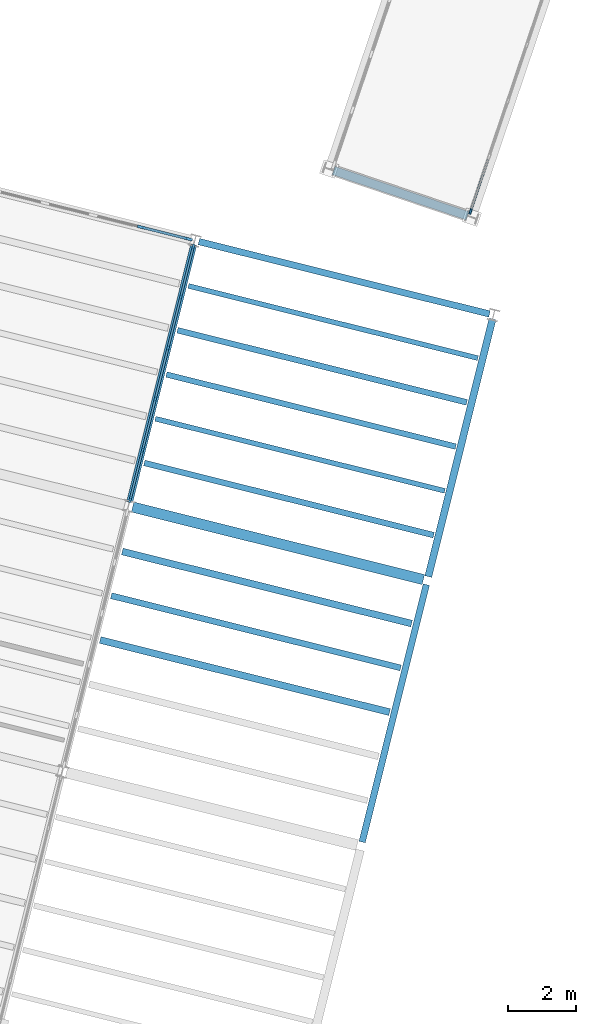
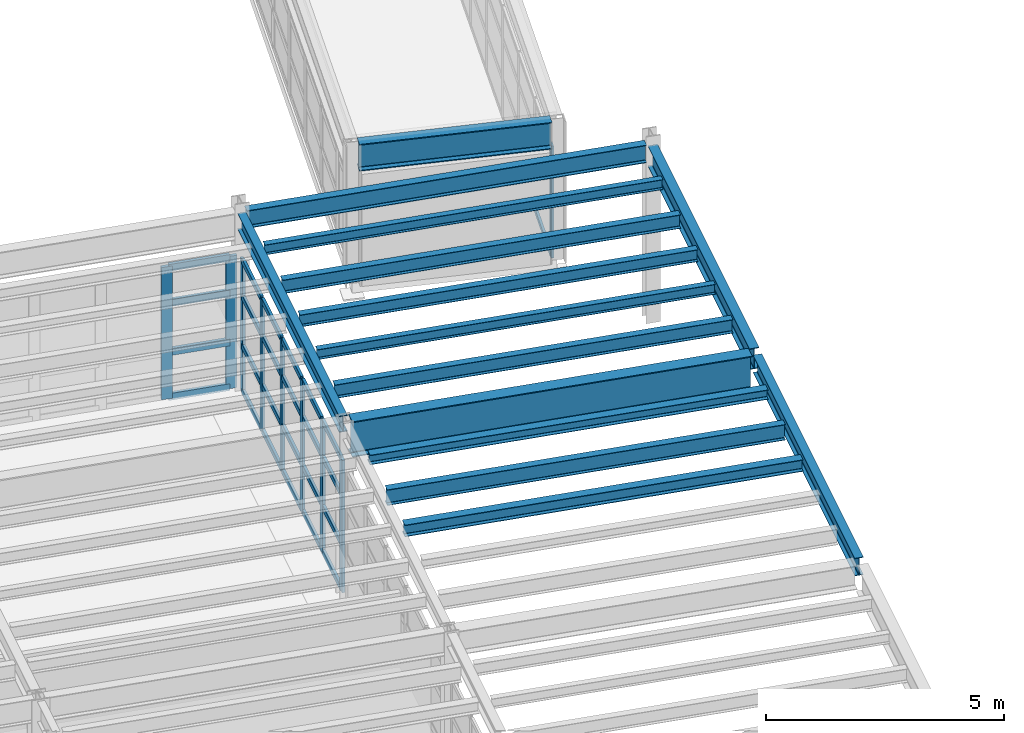
# One storey, part 34 of 102: 34 members, 14 beams, 3 elements without a shape of their own.
"""IFC4 building model written with IfcOpenShell, lengths in metres."""

from ifc_helpers import new_model, si_unit, direction, frame, origin, origin_2d, place, context, subcontext, project, spatial, rectangle, i_section, extrude, material, layer, layer_set, material_profile, profile_set, type_object, element, aggregate, save


model = new_model("IFC4")

# Units and contexts
model_context = context("Model", 3, precision=1e-05, world=origin(), true_north=direction((0.0, 1.0)))
body_context = subcontext(model_context, "Body", "Model", "MODEL_VIEW")
ifc_project = project(units=[si_unit("LENGTHUNIT", "METRE"), si_unit("AREAUNIT", "SQUARE_METRE"), si_unit("VOLUMEUNIT", "CUBIC_METRE"), si_unit("PLANEANGLEUNIT", "RADIAN"), si_unit("MASSUNIT", "GRAM", prefix="KILO")], contexts=[model_context])

# Site, building, storey
site_placement = place(None, origin())
site = spatial("IfcSite", under=ifc_project, at=site_placement, CompositionType="ELEMENT")
building_placement = place(site_placement, origin())
building = spatial("IfcBuilding", under=site, at=building_placement, Name="Vireo Bluff Cable Station", CompositionType="ELEMENT")
storey_placement = place(building_placement, frame((0.0, 0.0, 9.60009765625)))
storey = spatial("IfcBuildingStorey", under=building, at=storey_placement, Name="L02", CompositionType="ELEMENT", Elevation=9.60009765625)

# Beam
ifc_material_1 = material(Name="Steel ASTM A992 Gr. 50", Category="steel")
ifc_material_profile_1 = material_profile(ifc_material_1, i_section(OverallWidth=0.180908203125, OverallDepth=0.4169921875, WebThickness=0.010986328125, FlangeThickness=0.018310546875, FilletRadius=0.010009765625, at=origin_2d()), Name="W16X57")
ifc_profile_set_1 = profile_set([ifc_material_profile_1], Name="Steel ASTM A992 Gr. 50")
beam_type_1 = type_object("IfcBeamType", Name="BM-W16X57", PredefinedType="BEAM", material=ifc_profile_set_1)
beam_1_placement = place(storey_placement, frame((101.56298828125, 42.754638671875, 4.331298828125), z_axis=(0.241935966891, 0.970292217801, 0.0), x_axis=(-0.970292217801, 0.241935966891, 0.0)))
element("IfcBeam", 1, at=beam_1_placement, inside=storey, type_object=beam_type_1, Name="V1 L02 beam 186", PredefinedType="BEAM", context=body_context, shape_type="SweptSolid", body=[
    extrude(i_section(OverallWidth=0.180908203125, OverallDepth=0.4169921875, WebThickness=0.010986328125, FlangeThickness=0.018310546875, FilletRadius=0.010009765625, at=origin_2d()), origin(), (0.0, 0.0, 1.0), 7.760009765625),
])

# Curtain wall, members
ifc_material_2 = material(Name="Anodized Aluminium 6063-T6", Category="aluminium")
ifc_layer_1 = layer(ifc_material_2, 0.179931640625, Name="Anodized Aluminium 6063-T6")
ifc_layer_set_1 = layer_set([ifc_layer_1], Name="Anodized Aluminium 6063-T6")
curtain_wall_type_1 = type_object("IfcCurtainWallType", Name="CW-UNIT-1500", PredefinedType="USERDEFINED", material=ifc_layer_set_1)
curtain_wall_1_placement = place(storey_placement, origin())
curtain_wall_1 = element("IfcCurtainWall", 2, at=curtain_wall_1_placement, inside=storey, type_object=curtain_wall_type_1, Name="V1 L02 east curtain wall CW-016", ObjectType="UNITISED CURTAIN WALL", PredefinedType="USERDEFINED")
ifc_material_profile_2 = material_profile(ifc_material_2, rectangle(XDim=0.06494140625, YDim=0.179931640625, at=origin_2d()), Name="ALU-M-65X180")
ifc_profile_set_2 = profile_set([ifc_material_profile_2], Name="Anodized Aluminium 6063-T6")
member_type_1 = type_object("IfcMemberType", Name="CWM-01", PredefinedType="MULLION", material=ifc_profile_set_2)
member_1_placement = place(storey_placement, frame((103.4208984375, 50.20556640625, 0.0), z_axis=(0.0, 0.0, 1.0), x_axis=(0.970295724397, -0.241921903136, 0.0)))
member_1 = element("IfcMember", 3, at=member_1_placement, type_object=member_type_1, Name="CW-016 mullion 1", PredefinedType="MULLION", context=body_context, shape_type="SweptSolid", body=[
    extrude(rectangle(XDim=0.06494140625, YDim=0.179931640625, at=origin_2d()), origin(), (0.0, 0.0, 1.0), 3.39990234375),
])
member_2_placement = place(storey_placement, frame((103.0576171875, 48.7490234375, 0.0), z_axis=(0.0, 0.0, 1.0), x_axis=(0.970295724397, -0.241921903136, 0.0)))
member_2 = element("IfcMember", 4, at=member_2_placement, type_object=member_type_1, Name="CW-016 mullion 2", PredefinedType="MULLION", context=body_context, shape_type="SweptSolid", body=[
    extrude(rectangle(XDim=0.06494140625, YDim=0.179931640625, at=origin_2d()), origin(), (0.0, 0.0, 1.0), 3.39990234375),
])
member_3_placement = place(storey_placement, frame((102.686767578125, 47.260986328125, 0.0), z_axis=(0.0, 0.0, 1.0), x_axis=(0.970295724397, -0.241921903136, 0.0)))
member_3 = element("IfcMember", 5, at=member_3_placement, type_object=member_type_1, Name="CW-016 mullion 3", PredefinedType="MULLION", context=body_context, shape_type="SweptSolid", body=[
    extrude(rectangle(XDim=0.06494140625, YDim=0.179931640625, at=origin_2d()), origin(), (0.0, 0.0, 1.0), 3.39990234375),
])
member_4_placement = place(storey_placement, frame((102.315673828125, 45.77294921875, 0.0), z_axis=(0.0, 0.0, 1.0), x_axis=(0.970295724397, -0.241921903136, 0.0)))
member_4 = element("IfcMember", 6, at=member_4_placement, type_object=member_type_1, Name="CW-016 mullion 4", PredefinedType="MULLION", context=body_context, shape_type="SweptSolid", body=[
    extrude(rectangle(XDim=0.06494140625, YDim=0.179931640625, at=origin_2d()), origin(), (0.0, 0.0, 1.0), 3.39990234375),
])
member_5_placement = place(storey_placement, frame((101.944580078125, 44.284912109375, 0.0), z_axis=(0.0, 0.0, 1.0), x_axis=(0.970295724397, -0.241921903136, 0.0)))
member_5 = element("IfcMember", 7, at=member_5_placement, type_object=member_type_1, Name="CW-016 mullion 5", PredefinedType="MULLION", context=body_context, shape_type="SweptSolid", body=[
    extrude(rectangle(XDim=0.06494140625, YDim=0.179931640625, at=origin_2d()), origin(), (0.0, 0.0, 1.0), 3.39990234375),
])
member_6_placement = place(storey_placement, frame((101.58154296875, 42.828369140625, 0.0), z_axis=(0.0, 0.0, 1.0), x_axis=(0.970295724397, -0.241921903136, 0.0)))
member_6 = element("IfcMember", 8, at=member_6_placement, type_object=member_type_1, Name="CW-016 mullion 6", PredefinedType="MULLION", context=body_context, shape_type="SweptSolid", body=[
    extrude(rectangle(XDim=0.06494140625, YDim=0.179931640625, at=origin_2d()), origin(), (0.0, 0.0, 1.0), 3.39990234375),
])

# Curtain wall, member
ifc_layer_2 = layer(ifc_material_2, 0.159912109375, Name="Anodized Aluminium 6063-T6")
ifc_layer_set_2 = layer_set([ifc_layer_2], Name="Anodized Aluminium 6063-T6")
curtain_wall_type_2 = type_object("IfcCurtainWallType", Name="CW-STICK-1750", PredefinedType="USERDEFINED", material=ifc_layer_set_2)
curtain_wall_2_placement = place(storey_placement, origin())
curtain_wall_2 = element("IfcCurtainWall", 9, at=curtain_wall_2_placement, inside=storey, type_object=curtain_wall_type_2, Name="SKYBR L02 HAUL-DRIVE-1L curtain wall CW-146", ObjectType="STICK CURTAIN WALL", PredefinedType="USERDEFINED")
ifc_material_profile_3 = material_profile(ifc_material_2, rectangle(XDim=0.06005859375, YDim=0.159912109375, at=origin_2d()), Name="ALU-M-60X160")
ifc_profile_set_3 = profile_set([ifc_material_profile_3], Name="Anodized Aluminium 6063-T6")
member_type_2 = type_object("IfcMemberType", Name="CWM-03", PredefinedType="MULLION", material=ifc_profile_set_3)
member_7_placement = place(storey_placement, frame((111.5322265625, 51.25244140625, 0.0), z_axis=(0.0, 0.0, 1.0), x_axis=(-0.947294633724, 0.32036366354, 0.0)))
member_7 = element("IfcMember", 10, at=member_7_placement, type_object=member_type_2, Name="CW-146 mullion 1", PredefinedType="MULLION", context=body_context, shape_type="SweptSolid", body=[
    extrude(rectangle(XDim=0.06005859375, YDim=0.159912109375, at=origin_2d()), origin(), (0.0, 0.0, 1.0), 2.8798828125),
])

# Curtain wall, members
ifc_layer_3 = layer(ifc_material_2, 0.179931640625, Name="Anodized Aluminium 6063-T6")
ifc_layer_set_3 = layer_set([ifc_layer_3], Name="Anodized Aluminium 6063-T6")
curtain_wall_type_3 = type_object("IfcCurtainWallType", Name="CW-UNIT-1400", PredefinedType="USERDEFINED", material=ifc_layer_set_3)
curtain_wall_3_placement = place(storey_placement, origin())
curtain_wall_3 = element("IfcCurtainWall", 11, at=curtain_wall_3_placement, inside=storey, type_object=curtain_wall_type_3, Name="V1 L02 north curtain wall CW-015", ObjectType="UNITISED CURTAIN WALL", PredefinedType="USERDEFINED")
ifc_material_profile_4 = material_profile(ifc_material_2, rectangle(XDim=0.080078125, YDim=0.239990234375, at=origin_2d()), Name="ALU-M-80X240")
ifc_profile_set_4 = profile_set([ifc_material_profile_4], Name="Anodized Aluminium 6063-T6")
member_type_3 = type_object("IfcMemberType", Name="CWM-04", PredefinedType="MULLION", material=ifc_profile_set_4)
member_8_placement = place(storey_placement, frame((101.90673828125, 50.790283203125, 0.0), z_axis=(0.0, 0.0, 1.0), x_axis=(0.241921853788, 0.970295736701, 0.0)))
member_8 = element("IfcMember", 12, at=member_8_placement, type_object=member_type_3, Name="CW-015 mullion 6", PredefinedType="MULLION", context=body_context, shape_type="SweptSolid", body=[
    extrude(rectangle(XDim=0.080078125, YDim=0.239990234375, at=origin_2d()), origin(), (0.0, 0.0, 1.0), 3.39990234375),
])
member_9_placement = place(storey_placement, frame((103.27685546875, 50.44873046875, 0.0), z_axis=(0.0, 0.0, 1.0), x_axis=(0.241921853788, 0.970295736701, 0.0)))
member_9 = element("IfcMember", 13, at=member_9_placement, type_object=member_type_3, Name="CW-015 mullion 7", PredefinedType="MULLION", context=body_context, shape_type="SweptSolid", body=[
    extrude(rectangle(XDim=0.080078125, YDim=0.239990234375, at=origin_2d()), origin(), (0.0, 0.0, 1.0), 3.39990234375),
])

# Member
ifc_material_profile_5 = material_profile(ifc_material_2, rectangle(XDim=0.06494140625, YDim=0.139892578125, at=origin_2d()), Name="ALU-T-65X140")
ifc_profile_set_5 = profile_set([ifc_material_profile_5], Name="Anodized Aluminium 6063-T6")
member_type_4 = type_object("IfcMemberType", Name="CWT-01", PredefinedType="USERDEFINED", material=ifc_profile_set_5)
member_10_placement = place(storey_placement, frame((103.412841796875, 50.174072265625, 0.032470703125), z_axis=(-0.241895610336, -0.97030227955, 0.0), x_axis=(0.97030227955, -0.241895610336, 0.0)))
member_10 = element("IfcMember", 14, at=member_10_placement, type_object=member_type_4, Name="CW-016 transom 1.1", ObjectType="TRANSOM", PredefinedType="USERDEFINED", context=body_context, shape_type="SweptSolid", body=[
    extrude(rectangle(XDim=0.06494140625, YDim=0.139892578125, at=origin_2d()), origin(), (0.0, 0.0, 1.0), 1.436279296875),
])

member_11_placement = place(storey_placement, frame((103.412841796875, 50.174072265625, 1.18994140625), z_axis=(-0.241895610336, -0.97030227955, 0.0), x_axis=(0.97030227955, -0.241895610336, 0.0)))
member_11 = element("IfcMember", 15, at=member_11_placement, type_object=member_type_4, Name="CW-016 transom 1.2", ObjectType="TRANSOM", PredefinedType="USERDEFINED", context=body_context, shape_type="SweptSolid", body=[
    extrude(rectangle(XDim=0.06494140625, YDim=0.139892578125, at=origin_2d()), origin(), (0.0, 0.0, 1.0), 1.436279296875),
])

member_12_placement = place(storey_placement, frame((103.412841796875, 50.174072265625, 2.447998046875), z_axis=(-0.241895610336, -0.97030227955, 0.0), x_axis=(0.97030227955, -0.241895610336, 0.0)))
member_12 = element("IfcMember", 16, at=member_12_placement, type_object=member_type_4, Name="CW-016 transom 1.3", ObjectType="TRANSOM", PredefinedType="USERDEFINED", context=body_context, shape_type="SweptSolid", body=[
    extrude(rectangle(XDim=0.06494140625, YDim=0.139892578125, at=origin_2d()), origin(), (0.0, 0.0, 1.0), 1.436279296875),
])

member_13_placement = place(storey_placement, frame((103.412841796875, 50.174072265625, 3.367431640625), z_axis=(-0.241895610336, -0.97030227955, 0.0), x_axis=(0.97030227955, -0.241895610336, 0.0)))
member_13 = element("IfcMember", 17, at=member_13_placement, type_object=member_type_4, Name="CW-016 transom 1.4", ObjectType="TRANSOM", PredefinedType="USERDEFINED", context=body_context, shape_type="SweptSolid", body=[
    extrude(rectangle(XDim=0.06494140625, YDim=0.139892578125, at=origin_2d()), origin(), (0.0, 0.0, 1.0), 1.436279296875),
])

member_14_placement = place(storey_placement, frame((103.0498046875, 48.717529296875, 0.032470703125), z_axis=(-0.241870631624, -0.970308506382, 0.0), x_axis=(0.970308506382, -0.241870631624, 0.0)))
member_14 = element("IfcMember", 18, at=member_14_placement, type_object=member_type_4, Name="CW-016 transom 2.1", ObjectType="TRANSOM", PredefinedType="USERDEFINED", context=body_context, shape_type="SweptSolid", body=[
    extrude(rectangle(XDim=0.06494140625, YDim=0.139892578125, at=origin_2d()), origin(), (0.0, 0.0, 1.0), 1.46875),
])

member_15_placement = place(storey_placement, frame((103.0498046875, 48.717529296875, 1.18994140625), z_axis=(-0.241870631624, -0.970308506382, 0.0), x_axis=(0.970308506382, -0.241870631624, 0.0)))
member_15 = element("IfcMember", 19, at=member_15_placement, type_object=member_type_4, Name="CW-016 transom 2.2", ObjectType="TRANSOM", PredefinedType="USERDEFINED", context=body_context, shape_type="SweptSolid", body=[
    extrude(rectangle(XDim=0.06494140625, YDim=0.139892578125, at=origin_2d()), origin(), (0.0, 0.0, 1.0), 1.46875),
])

member_16_placement = place(storey_placement, frame((103.0498046875, 48.717529296875, 2.447998046875), z_axis=(-0.241870631624, -0.970308506382, 0.0), x_axis=(0.970308506382, -0.241870631624, 0.0)))
member_16 = element("IfcMember", 20, at=member_16_placement, type_object=member_type_4, Name="CW-016 transom 2.3", ObjectType="TRANSOM", PredefinedType="USERDEFINED", context=body_context, shape_type="SweptSolid", body=[
    extrude(rectangle(XDim=0.06494140625, YDim=0.139892578125, at=origin_2d()), origin(), (0.0, 0.0, 1.0), 1.46875),
])

member_17_placement = place(storey_placement, frame((103.0498046875, 48.717529296875, 3.367431640625), z_axis=(-0.241870631624, -0.970308506382, 0.0), x_axis=(0.970308506382, -0.241870631624, 0.0)))
member_17 = element("IfcMember", 21, at=member_17_placement, type_object=member_type_4, Name="CW-016 transom 2.4", ObjectType="TRANSOM", PredefinedType="USERDEFINED", context=body_context, shape_type="SweptSolid", body=[
    extrude(rectangle(XDim=0.06494140625, YDim=0.139892578125, at=origin_2d()), origin(), (0.0, 0.0, 1.0), 1.46875),
])

member_18_placement = place(storey_placement, frame((102.6787109375, 47.2294921875, 0.032470703125), z_axis=(-0.241870631624, -0.970308506382, 0.0), x_axis=(0.970308506382, -0.241870631624, 0.0)))
member_18 = element("IfcMember", 22, at=member_18_placement, type_object=member_type_4, Name="CW-016 transom 3.1", ObjectType="TRANSOM", PredefinedType="USERDEFINED", context=body_context, shape_type="SweptSolid", body=[
    extrude(rectangle(XDim=0.06494140625, YDim=0.139892578125, at=origin_2d()), origin(), (0.0, 0.0, 1.0), 1.46875),
])

member_19_placement = place(storey_placement, frame((102.6787109375, 47.2294921875, 1.18994140625), z_axis=(-0.241870631624, -0.970308506382, 0.0), x_axis=(0.970308506382, -0.241870631624, 0.0)))
member_19 = element("IfcMember", 23, at=member_19_placement, type_object=member_type_4, Name="CW-016 transom 3.2", ObjectType="TRANSOM", PredefinedType="USERDEFINED", context=body_context, shape_type="SweptSolid", body=[
    extrude(rectangle(XDim=0.06494140625, YDim=0.139892578125, at=origin_2d()), origin(), (0.0, 0.0, 1.0), 1.46875),
])

member_20_placement = place(storey_placement, frame((102.6787109375, 47.2294921875, 2.447998046875), z_axis=(-0.241870631624, -0.970308506382, 0.0), x_axis=(0.970308506382, -0.241870631624, 0.0)))
member_20 = element("IfcMember", 24, at=member_20_placement, type_object=member_type_4, Name="CW-016 transom 3.3", ObjectType="TRANSOM", PredefinedType="USERDEFINED", context=body_context, shape_type="SweptSolid", body=[
    extrude(rectangle(XDim=0.06494140625, YDim=0.139892578125, at=origin_2d()), origin(), (0.0, 0.0, 1.0), 1.46875),
])

member_21_placement = place(storey_placement, frame((102.6787109375, 47.2294921875, 3.367431640625), z_axis=(-0.241870631624, -0.970308506382, 0.0), x_axis=(0.970308506382, -0.241870631624, 0.0)))
member_21 = element("IfcMember", 25, at=member_21_placement, type_object=member_type_4, Name="CW-016 transom 3.4", ObjectType="TRANSOM", PredefinedType="USERDEFINED", context=body_context, shape_type="SweptSolid", body=[
    extrude(rectangle(XDim=0.06494140625, YDim=0.139892578125, at=origin_2d()), origin(), (0.0, 0.0, 1.0), 1.46875),
])

member_22_placement = place(storey_placement, frame((102.307861328125, 45.741455078125, 0.032470703125), z_axis=(-0.242027131365, -0.970269481991, 0.0), x_axis=(0.970269481991, -0.242027131365, 0.0)))
member_22 = element("IfcMember", 26, at=member_22_placement, type_object=member_type_4, Name="CW-016 transom 4.1", ObjectType="TRANSOM", PredefinedType="USERDEFINED", context=body_context, shape_type="SweptSolid", body=[
    extrude(rectangle(XDim=0.06494140625, YDim=0.139892578125, at=origin_2d()), origin(), (0.0, 0.0, 1.0), 1.46875),
])

member_23_placement = place(storey_placement, frame((102.307861328125, 45.741455078125, 1.18994140625), z_axis=(-0.242027131365, -0.970269481991, 0.0), x_axis=(0.970269481991, -0.242027131365, 0.0)))
member_23 = element("IfcMember", 27, at=member_23_placement, type_object=member_type_4, Name="CW-016 transom 4.2", ObjectType="TRANSOM", PredefinedType="USERDEFINED", context=body_context, shape_type="SweptSolid", body=[
    extrude(rectangle(XDim=0.06494140625, YDim=0.139892578125, at=origin_2d()), origin(), (0.0, 0.0, 1.0), 1.46875),
])

member_24_placement = place(storey_placement, frame((102.307861328125, 45.741455078125, 2.447998046875), z_axis=(-0.242027131365, -0.970269481991, 0.0), x_axis=(0.970269481991, -0.242027131365, 0.0)))
member_24 = element("IfcMember", 28, at=member_24_placement, type_object=member_type_4, Name="CW-016 transom 4.3", ObjectType="TRANSOM", PredefinedType="USERDEFINED", context=body_context, shape_type="SweptSolid", body=[
    extrude(rectangle(XDim=0.06494140625, YDim=0.139892578125, at=origin_2d()), origin(), (0.0, 0.0, 1.0), 1.46875),
])

member_25_placement = place(storey_placement, frame((102.307861328125, 45.741455078125, 3.367431640625), z_axis=(-0.242027131365, -0.970269481991, 0.0), x_axis=(0.970269481991, -0.242027131365, 0.0)))
member_25 = element("IfcMember", 29, at=member_25_placement, type_object=member_type_4, Name="CW-016 transom 4.4", ObjectType="TRANSOM", PredefinedType="USERDEFINED", context=body_context, shape_type="SweptSolid", body=[
    extrude(rectangle(XDim=0.06494140625, YDim=0.139892578125, at=origin_2d()), origin(), (0.0, 0.0, 1.0), 1.46875),
])

member_26_placement = place(storey_placement, frame((101.936767578125, 44.25341796875, 0.032470703125), z_axis=(-0.241895610336, -0.97030227955, 0.0), x_axis=(0.97030227955, -0.241895610336, 0.0)))
member_26 = element("IfcMember", 30, at=member_26_placement, type_object=member_type_4, Name="CW-016 transom 5.1", ObjectType="TRANSOM", PredefinedType="USERDEFINED", context=body_context, shape_type="SweptSolid", body=[
    extrude(rectangle(XDim=0.06494140625, YDim=0.139892578125, at=origin_2d()), origin(), (0.0, 0.0, 1.0), 1.436279296875),
])

member_27_placement = place(storey_placement, frame((101.936767578125, 44.25341796875, 1.18994140625), z_axis=(-0.241895610336, -0.97030227955, 0.0), x_axis=(0.97030227955, -0.241895610336, 0.0)))
member_27 = element("IfcMember", 31, at=member_27_placement, type_object=member_type_4, Name="CW-016 transom 5.2", ObjectType="TRANSOM", PredefinedType="USERDEFINED", context=body_context, shape_type="SweptSolid", body=[
    extrude(rectangle(XDim=0.06494140625, YDim=0.139892578125, at=origin_2d()), origin(), (0.0, 0.0, 1.0), 1.436279296875),
])

member_28_placement = place(storey_placement, frame((101.936767578125, 44.25341796875, 2.447998046875), z_axis=(-0.241895610336, -0.97030227955, 0.0), x_axis=(0.97030227955, -0.241895610336, 0.0)))
member_28 = element("IfcMember", 32, at=member_28_placement, type_object=member_type_4, Name="CW-016 transom 5.3", ObjectType="TRANSOM", PredefinedType="USERDEFINED", context=body_context, shape_type="SweptSolid", body=[
    extrude(rectangle(XDim=0.06494140625, YDim=0.139892578125, at=origin_2d()), origin(), (0.0, 0.0, 1.0), 1.436279296875),
])

member_29_placement = place(storey_placement, frame((101.936767578125, 44.25341796875, 3.367431640625), z_axis=(-0.241895610336, -0.97030227955, 0.0), x_axis=(0.97030227955, -0.241895610336, 0.0)))
member_29 = element("IfcMember", 33, at=member_29_placement, type_object=member_type_4, Name="CW-016 transom 5.4", ObjectType="TRANSOM", PredefinedType="USERDEFINED", context=body_context, shape_type="SweptSolid", body=[
    extrude(rectangle(XDim=0.06494140625, YDim=0.139892578125, at=origin_2d()), origin(), (0.0, 0.0, 1.0), 1.436279296875),
])

aggregate(curtain_wall_1, [member_1, member_2, member_3, member_4, member_5, member_6, member_10, member_11, member_12, member_13, member_14, member_15, member_16, member_17, member_18, member_19, member_20, member_21, member_22, member_23, member_24, member_25, member_26, member_27, member_28, member_29])

ifc_material_profile_6 = material_profile(ifc_material_2, rectangle(XDim=0.06005859375, YDim=0.1201171875, at=origin_2d()), Name="ALU-T-60X120")
ifc_profile_set_6 = profile_set([ifc_material_profile_6], Name="Anodized Aluminium 6063-T6")
member_type_5 = type_object("IfcMemberType", Name="CWT-03", PredefinedType="USERDEFINED", material=ifc_profile_set_6)
member_30_placement = place(storey_placement, frame((111.541748046875, 51.28076171875, 0.02978515625), z_axis=(0.320256106825, 0.947331001309, 0.0), x_axis=(-0.947331001309, 0.320256106825, 0.0)))
member_30 = element("IfcMember", 34, at=member_30_placement, type_object=member_type_5, Name="CW-146 transom 1.1", ObjectType="TRANSOM", PredefinedType="USERDEFINED", context=body_context, shape_type="SweptSolid", body=[
    extrude(rectangle(XDim=0.06005859375, YDim=0.1201171875, at=origin_2d()), origin(), (0.0, 0.0, 1.0), 1.63525390625),
])

aggregate(curtain_wall_2, [member_7, member_30])

ifc_material_profile_7 = material_profile(ifc_material_2, rectangle(XDim=0.080078125, YDim=0.175048828125, at=origin_2d()), Name="ALU-T-80X175")
ifc_profile_set_7 = profile_set([ifc_material_profile_7], Name="Anodized Aluminium 6063-T6")
member_type_6 = type_object("IfcMemberType", Name="CWT-04", PredefinedType="USERDEFINED", material=ifc_profile_set_7)
member_31_placement = place(storey_placement, frame((101.945556640625, 50.780517578125, 0.039794921875), z_axis=(0.970293250138, -0.241931826631, 0.0), x_axis=(0.241931826631, 0.970293250138, 0.0)))
member_31 = element("IfcMember", 35, at=member_31_placement, type_object=member_type_6, Name="CW-015 transom 6.1", ObjectType="TRANSOM", PredefinedType="USERDEFINED", context=body_context, shape_type="SweptSolid", body=[
    extrude(rectangle(XDim=0.080078125, YDim=0.175048828125, at=origin_2d()), origin(), (0.0, 0.0, 1.0), 1.33203125),
])

member_32_placement = place(storey_placement, frame((101.945556640625, 50.780517578125, 1.18994140625), z_axis=(0.970293250138, -0.241931826631, 0.0), x_axis=(0.241931826631, 0.970293250138, 0.0)))
member_32 = element("IfcMember", 36, at=member_32_placement, type_object=member_type_6, Name="CW-015 transom 6.2", ObjectType="TRANSOM", PredefinedType="USERDEFINED", context=body_context, shape_type="SweptSolid", body=[
    extrude(rectangle(XDim=0.080078125, YDim=0.175048828125, at=origin_2d()), origin(), (0.0, 0.0, 1.0), 1.33203125),
])

member_33_placement = place(storey_placement, frame((101.945556640625, 50.780517578125, 2.447998046875), z_axis=(0.970293250138, -0.241931826631, 0.0), x_axis=(0.241931826631, 0.970293250138, 0.0)))
member_33 = element("IfcMember", 37, at=member_33_placement, type_object=member_type_6, Name="CW-015 transom 6.3", ObjectType="TRANSOM", PredefinedType="USERDEFINED", context=body_context, shape_type="SweptSolid", body=[
    extrude(rectangle(XDim=0.080078125, YDim=0.175048828125, at=origin_2d()), origin(), (0.0, 0.0, 1.0), 1.33203125),
])

member_34_placement = place(storey_placement, frame((101.945556640625, 50.780517578125, 3.35986328125), z_axis=(0.970293250138, -0.241931826631, 0.0), x_axis=(0.241931826631, 0.970293250138, 0.0)))
member_34 = element("IfcMember", 38, at=member_34_placement, type_object=member_type_6, Name="CW-015 transom 6.4", ObjectType="TRANSOM", PredefinedType="USERDEFINED", context=body_context, shape_type="SweptSolid", body=[
    extrude(rectangle(XDim=0.080078125, YDim=0.175048828125, at=origin_2d()), origin(), (0.0, 0.0, 1.0), 1.33203125),
])

aggregate(curtain_wall_3, [member_8, member_9, member_31, member_32, member_33, member_34])

# Beams
ifc_material_profile_8 = material_profile(ifc_material_1, i_section(OverallWidth=0.257080078125, OverallDepth=0.693115234375, WebThickness=0.014404296875, FlangeThickness=0.023681640625, FilletRadius=0.014892578125, at=origin_2d()), Name="W27X114")
ifc_profile_set_8 = profile_set([ifc_material_profile_8], Name="Steel ASTM A992 Gr. 50")
beam_type_2 = type_object("IfcBeamType", Name="EXTGIR-W27X114", PredefinedType="USERDEFINED", material=ifc_profile_set_8)
beam_2_placement = place(storey_placement, frame((111.4423828125, 51.12451171875, 3.284912109375), z_axis=(-0.947298947098, 0.320350908892, 0.0), x_axis=(-0.320350908892, -0.947298947098, 0.0)))
element("IfcBeam", 39, at=beam_2_placement, inside=storey, type_object=beam_type_2, Name="HAUL-DRIVE skybridge bent cap 1 L02", ObjectType="GIRDER", PredefinedType="USERDEFINED", context=body_context, shape_type="SweptSolid", body=[
    extrude(i_section(OverallWidth=0.257080078125, OverallDepth=0.693115234375, WebThickness=0.014404296875, FlangeThickness=0.023681640625, FilletRadius=0.014892578125, at=origin_2d()), origin(), (0.0, 0.0, 1.0), 4.135986328125),
])
ifc_material_profile_9 = material_profile(ifc_material_1, i_section(OverallWidth=0.303955078125, OverallDepth=0.912109375, WebThickness=0.015869140625, FlangeThickness=0.02392578125, FilletRadius=0.02001953125, at=origin_2d()), Name="W36X150")
ifc_profile_set_9 = profile_set([ifc_material_profile_9], Name="Steel ASTM A992 Gr. 50")
beam_type_3 = type_object("IfcBeamType", Name="GIR-W36X150", PredefinedType="USERDEFINED", material=ifc_profile_set_9)
beam_3_placement = place(storey_placement, frame((101.650390625, 42.609130859375, 4.083984375), z_axis=(0.970299675821, -0.241906054289, 0.0), x_axis=(0.241906054289, 0.970299675821, 0.0)))
element("IfcBeam", 40, at=beam_3_placement, inside=storey, type_object=beam_type_3, Name="V1 L02 girder 162", ObjectType="GIRDER", PredefinedType="USERDEFINED", context=body_context, shape_type="SweptSolid", body=[
    extrude(i_section(OverallWidth=0.303955078125, OverallDepth=0.912109375, WebThickness=0.015869140625, FlangeThickness=0.02392578125, FilletRadius=0.02001953125, at=origin_2d()), origin(), (0.0, 0.0, 1.0), 8.76025390625),
])
ifc_material_profile_10 = material_profile(ifc_material_1, i_section(OverallWidth=0.14599609375, OverallDepth=0.259033203125, WebThickness=0.006103515625, FlangeThickness=0.009033203125, FilletRadius=0.009033203125, at=origin_2d()), Name="W10X22")
ifc_profile_set_10 = profile_set([ifc_material_profile_10], Name="Steel ASTM A992 Gr. 50")
beam_type_4 = type_object("IfcBeamType", Name="JST-W10X22", PredefinedType="JOIST", material=ifc_profile_set_10)
beam_4_placement = place(storey_placement, frame((102.31494140625, 45.19189453125, 4.410400390625), z_axis=(0.970295467306, -0.24192293427, 0.0), x_axis=(0.24192293427, 0.970295467306, 0.0)))
element("IfcBeam", 41, at=beam_4_placement, inside=storey, type_object=beam_type_4, Name="V1 L02 composite joist 268", PredefinedType="JOIST", context=body_context, shape_type="SweptSolid", body=[
    extrude(i_section(OverallWidth=0.14599609375, OverallDepth=0.259033203125, WebThickness=0.006103515625, FlangeThickness=0.009033203125, FilletRadius=0.009033203125, at=origin_2d()), origin(), (0.0, 0.0, 1.0), 8.72021484375),
])
beam_5_placement = place(storey_placement, frame((103.28271484375, 49.072998046875, 4.410400390625), z_axis=(0.970293828661, -0.24192950639, 0.0), x_axis=(0.24192950639, 0.970293828661, 0.0)))
element("IfcBeam", 42, at=beam_5_placement, inside=storey, type_object=beam_type_4, Name="V1 L02 composite joist 271", PredefinedType="JOIST", context=body_context, shape_type="SweptSolid", body=[
    extrude(i_section(OverallWidth=0.14599609375, OverallDepth=0.259033203125, WebThickness=0.006103515625, FlangeThickness=0.009033203125, FilletRadius=0.009033203125, at=origin_2d()), origin(), (0.0, 0.0, 1.0), 8.719970703125),
])
ifc_material_profile_11 = material_profile(ifc_material_1, i_section(OverallWidth=0.201904296875, OverallDepth=0.2470703125, WebThickness=0.00732421875, FlangeThickness=0.010986328125, FilletRadius=0.009033203125, at=origin_2d()), Name="W10X33")
ifc_profile_set_11 = profile_set([ifc_material_profile_11], Name="Steel ASTM A992 Gr. 50")
beam_type_5 = type_object("IfcBeamType", Name="JST-W10X33", PredefinedType="JOIST", material=ifc_profile_set_11)
beam_6_placement = place(storey_placement, frame((101.347412109375, 41.310546875, 4.41650390625), z_axis=(0.970300400641, -0.241903146974, 0.0), x_axis=(0.241903146974, 0.970300400641, 0.0)))
element("IfcBeam", 43, at=beam_6_placement, inside=storey, type_object=beam_type_5, Name="V1 L02 composite joist 266", PredefinedType="JOIST", context=body_context, shape_type="SweptSolid", body=[
    extrude(i_section(OverallWidth=0.201904296875, OverallDepth=0.2470703125, WebThickness=0.00732421875, FlangeThickness=0.010986328125, FilletRadius=0.009033203125, at=origin_2d()), origin(), (0.0, 0.0, 1.0), 8.719970703125),
])
ifc_material_profile_12 = material_profile(ifc_material_1, i_section(OverallWidth=0.1650390625, OverallDepth=0.31005859375, WebThickness=0.005859375, FlangeThickness=0.009765625, FilletRadius=0.010009765625, at=origin_2d()), Name="W12X26")
ifc_profile_set_12 = profile_set([ifc_material_profile_12], Name="Steel ASTM A992 Gr. 50")
beam_type_6 = type_object("IfcBeamType", Name="JST-W12X26", PredefinedType="JOIST", material=ifc_profile_set_12)
beam_7_placement = place(storey_placement, frame((102.6376953125, 46.485595703125, 4.385009765625), z_axis=(0.970293828661, -0.24192950639, 0.0), x_axis=(0.24192950639, 0.970293828661, 0.0)))
element("IfcBeam", 44, at=beam_7_placement, inside=storey, type_object=beam_type_6, Name="V1 L02 composite joist 269", PredefinedType="JOIST", context=body_context, shape_type="SweptSolid", body=[
    extrude(i_section(OverallWidth=0.1650390625, OverallDepth=0.31005859375, WebThickness=0.005859375, FlangeThickness=0.009765625, FilletRadius=0.010009765625, at=origin_2d()), origin(), (0.0, 0.0, 1.0), 8.719970703125),
])
ifc_material_profile_13 = material_profile(ifc_material_1, i_section(OverallWidth=0.202880859375, OverallDepth=0.302978515625, WebThickness=0.007568359375, FlangeThickness=0.01318359375, FilletRadius=0.010009765625, at=origin_2d()), Name="W12X40")
ifc_profile_set_13 = profile_set([ifc_material_profile_13], Name="Steel ASTM A992 Gr. 50")
beam_type_7 = type_object("IfcBeamType", Name="JST-W12X40", PredefinedType="JOIST", material=ifc_profile_set_13)
beam_8_placement = place(storey_placement, frame((100.7021484375, 38.72314453125, 4.388427734375), z_axis=(0.970293828661, -0.24192950639, 0.0), x_axis=(0.24192950639, 0.970293828661, 0.0)))
element("IfcBeam", 45, at=beam_8_placement, inside=storey, type_object=beam_type_7, Name="V1 L02 composite joist 264", PredefinedType="JOIST", context=body_context, shape_type="SweptSolid", body=[
    extrude(i_section(OverallWidth=0.202880859375, OverallDepth=0.302978515625, WebThickness=0.007568359375, FlangeThickness=0.01318359375, FilletRadius=0.010009765625, at=origin_2d()), origin(), (0.0, 0.0, 1.0), 8.719970703125),
])
ifc_material_profile_14 = material_profile(ifc_material_1, i_section(OverallWidth=0.1708984375, OverallDepth=0.35107421875, WebThickness=0.0068359375, FlangeThickness=0.009765625, FilletRadius=0.010009765625, at=origin_2d()), Name="W14X30")
ifc_profile_set_14 = profile_set([ifc_material_profile_14], Name="Steel ASTM A992 Gr. 50")
beam_type_8 = type_object("IfcBeamType", Name="JST-W14X30", PredefinedType="JOIST", material=ifc_profile_set_14)
for number, where, z_axis, x_axis, name in (
    (46, (101.992431640625, 43.898193359375, 4.364501953125), (0.970293828661, -0.24192950639, 0.0), (0.24192950639, 0.970293828661, 0.0), "V1 L02 composite joist 267"),
    (47, (102.960205078125, 47.779296875, 4.364501953125), (0.970293828661, -0.24192950639, 0.0), (0.24192950639, 0.970293828661, 0.0), "V1 L02 composite joist 270"),
):
    element("IfcBeam", number, at=place(storey_placement, frame(where, z_axis=z_axis, x_axis=x_axis)), inside=storey, type_object=beam_type_8, Name=name, PredefinedType="JOIST", context=body_context, shape_type="SweptSolid", body=[
        extrude(i_section(OverallWidth=0.1708984375, OverallDepth=0.35107421875, WebThickness=0.0068359375, FlangeThickness=0.009765625, FilletRadius=0.010009765625, at=origin_2d()), origin(), (0.0, 0.0, 1.0), 8.719970703125),
    ])
ifc_material_profile_15 = material_profile(ifc_material_1, i_section(OverallWidth=0.177978515625, OverallDepth=0.404052734375, WebThickness=0.007568359375, FlangeThickness=0.010986328125, FilletRadius=0.010009765625, at=origin_2d()), Name="W16X36")
ifc_profile_set_15 = profile_set([ifc_material_profile_15], Name="Steel ASTM A992 Gr. 50")
beam_type_9 = type_object("IfcBeamType", Name="JST-W16X36", PredefinedType="JOIST", material=ifc_profile_set_15)
beam_9_placement = place(storey_placement, frame((101.024658203125, 40.016845703125, 4.337890625), z_axis=(0.97030203894, -0.241896575481, 0.0), x_axis=(0.241896575481, 0.97030203894, 0.0)))
element("IfcBeam", 48, at=beam_9_placement, inside=storey, type_object=beam_type_9, Name="V1 L02 composite joist 265", PredefinedType="JOIST", context=body_context, shape_type="SweptSolid", body=[
    extrude(i_section(OverallWidth=0.177978515625, OverallDepth=0.404052734375, WebThickness=0.007568359375, FlangeThickness=0.010986328125, FilletRadius=0.010009765625, at=origin_2d()), origin(), (0.0, 0.0, 1.0), 8.72021484375),
])
ifc_material_profile_16 = material_profile(ifc_material_1, i_section(OverallWidth=0.19091796875, OverallDepth=0.45703125, WebThickness=0.009033203125, FlangeThickness=0.014404296875, FilletRadius=0.011962890625, at=origin_2d()), Name="W18X50")
ifc_profile_set_16 = profile_set([ifc_material_profile_16], Name="Steel ASTM A992 Gr. 50")
beam_type_10 = type_object("IfcBeamType", Name="SPN-W18X50", PredefinedType="SPANDREL", material=ifc_profile_set_16)
beam_10_placement = place(storey_placement, frame((103.5859375, 50.37158203125, 4.3115234375), z_axis=(0.970298044881, -0.241912595995, 0.0), x_axis=(0.241912595995, 0.970298044881, 0.0)))
element("IfcBeam", 49, at=beam_10_placement, inside=storey, type_object=beam_type_10, Name="V1 L02 spandrel 168", PredefinedType="SPANDREL", context=body_context, shape_type="SweptSolid", body=[
    extrude(i_section(OverallWidth=0.19091796875, OverallDepth=0.45703125, WebThickness=0.009033203125, FlangeThickness=0.014404296875, FilletRadius=0.011962890625, at=origin_2d()), origin(), (0.0, 0.0, 1.0), 8.760009765625),
])
beam_11_placement = place(storey_placement, frame((108.3603515625, 32.81494140625, 4.3115234375), z_axis=(0.241935966891, 0.970292217801, 0.0), x_axis=(-0.970292217801, 0.241935966891, 0.0)))
element("IfcBeam", 50, at=beam_11_placement, inside=storey, type_object=beam_type_10, Name="V1 L02 spandrel 188", PredefinedType="SPANDREL", context=body_context, shape_type="SweptSolid", body=[
    extrude(i_section(OverallWidth=0.19091796875, OverallDepth=0.45703125, WebThickness=0.009033203125, FlangeThickness=0.014404296875, FilletRadius=0.011962890625, at=origin_2d()), origin(), (0.0, 0.0, 1.0), 7.760009765625),
])
ifc_material_profile_17 = material_profile(ifc_material_1, i_section(OverallWidth=0.2099609375, OverallDepth=0.535888671875, WebThickness=0.010986328125, FlangeThickness=0.017333984375, FilletRadius=0.012939453125, at=origin_2d()), Name="W21X68")
ifc_profile_set_17 = profile_set([ifc_material_profile_17], Name="Steel ASTM A992 Gr. 50")
beam_type_11 = type_object("IfcBeamType", Name="SPN-W21X68", PredefinedType="SPANDREL", material=ifc_profile_set_17)
beam_12_placement = place(storey_placement, frame((110.295654296875, 40.577392578125, 4.27197265625), z_axis=(0.241935966891, 0.970292217801, 0.0), x_axis=(-0.970292217801, 0.241935966891, 0.0)))
element("IfcBeam", 51, at=beam_12_placement, inside=storey, type_object=beam_type_11, Name="V1 L02 spandrel 189", PredefinedType="SPANDREL", context=body_context, shape_type="SweptSolid", body=[
    extrude(i_section(OverallWidth=0.2099609375, OverallDepth=0.535888671875, WebThickness=0.010986328125, FlangeThickness=0.017333984375, FilletRadius=0.012939453125, at=origin_2d()), origin(), (0.0, 0.0, 1.0), 7.760009765625),
])

save(model, "model.ifc")
